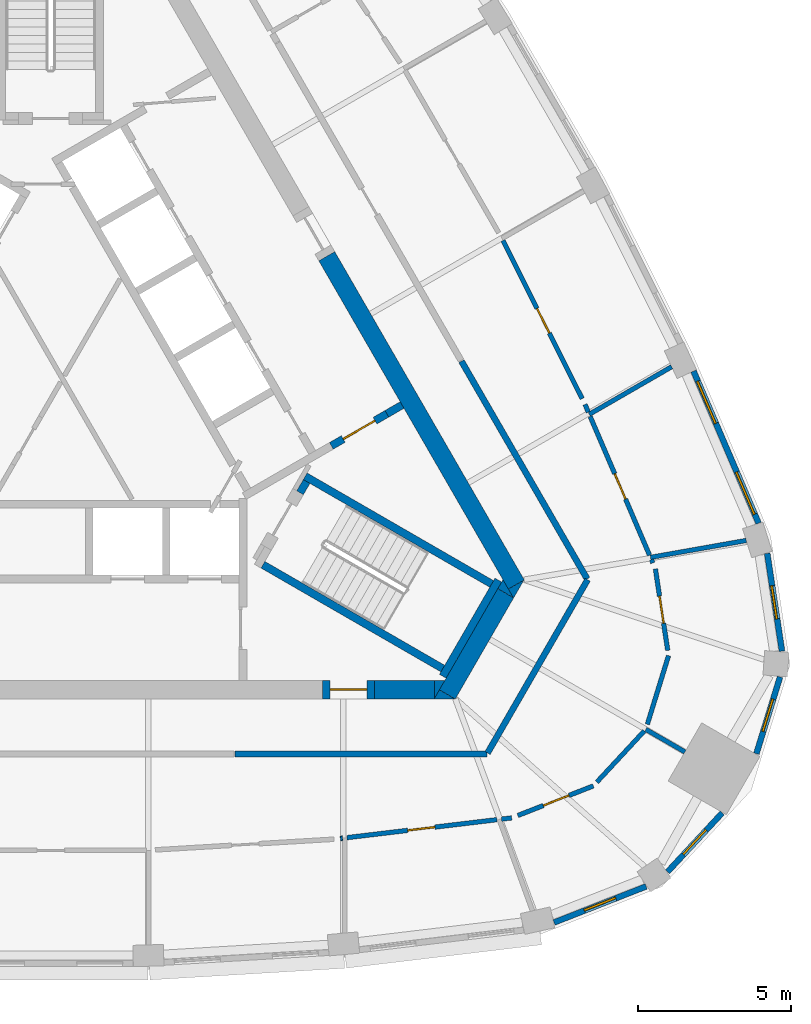
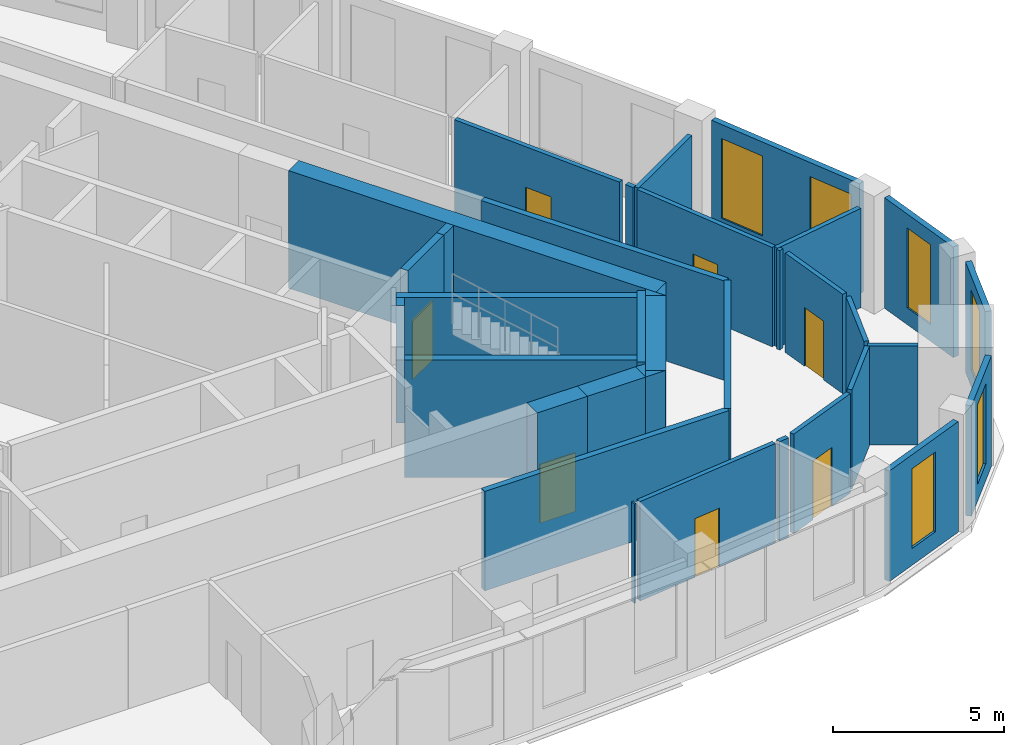
# One storey, part 7 of 10: 36 walls, 7 doors, 6 windows, 13 openings.
"""IFC4 building model written with IfcOpenShell, lengths in metres."""

from ifc_helpers import new_model, si_unit, direction, frame, frame_2d, origin, place, context, subcontext, project, spatial, polyline, rectangle, outline, extrude, material, layer, layer_set, type_object, element, fill, save


model = new_model("IFC4")

# Units and contexts
model_context = context("Model", 3, precision=1e-05, world=origin(), true_north=direction((0.0, 1.0)))
body_context = subcontext(model_context, "Body", "Model", "MODEL_VIEW")
ifc_project = project(units=[si_unit("LENGTHUNIT", "METRE"), si_unit("AREAUNIT", "SQUARE_METRE"), si_unit("VOLUMEUNIT", "CUBIC_METRE"), si_unit("PLANEANGLEUNIT", "RADIAN"), si_unit("MASSUNIT", "GRAM", prefix="KILO")], contexts=[model_context])

# Site, building, storey
site_placement = place(None, origin())
site = spatial("IfcSite", under=ifc_project, at=site_placement, CompositionType="ELEMENT")
building_placement = place(site_placement, origin())
building = spatial("IfcBuilding", under=site, at=building_placement, Name="Mestral Congress Tower", CompositionType="ELEMENT")
storey_placement = place(building_placement, frame((0.0, 0.0, 275.39990234375)))
storey = spatial("IfcBuildingStorey", under=building, at=storey_placement, Name="L64", CompositionType="ELEMENT", Elevation=275.39990234375)

# Walls
ifc_material_1 = material(Name="Concrete C60/75", Category="concrete")
ifc_layer_1 = layer(ifc_material_1, 0.60009765625)
ifc_layer_set_1 = layer_set([ifc_layer_1], Name="Concrete C60/75")
wall_type_1 = type_object("IfcWallType", Name="Core wall RC 600", PredefinedType="SOLIDWALL", material=ifc_layer_set_1)
wall_1_placement = place(storey_placement, frame((9.0419921875, 4.23876953125, 0.0), z_axis=(0.0, 0.0, 1.0), x_axis=(0.500005785455, -0.866022063525, 0.0)))
element("IfcWall", 1, at=wall_1_placement, inside=storey, type_object=wall_type_1, Name="L64 core wall", PredefinedType="SOLIDWALL", context=body_context, shape_type="SweptSolid", body=[
    extrude(rectangle(XDim=12.406494140625, YDim=0.60009765625, at=frame_2d((6.203125, 0.0))), origin(), (0.0, 0.0, 1.0), 4.2001953125),
])
placement = place(storey_placement, origin())
element("IfcWall", 2, at=placement, inside=storey, type_object=wall_type_1, Name="L64 core wall", PredefinedType="SOLIDWALL", context=body_context, shape_type="SweptSolid", body=[
    extrude(outline(polyline([(15.155517578125, -6.949951171875), (14.986572265625, -6.6572265625), (15.493408203125, -6.364501953125), (15.155517578125, -6.949951171875)])), origin(), (0.0, 0.0, 1.0), 4.2001953125),
])
wall_3_placement = place(storey_placement, frame((12.9873046875, -10.105712890625, 0.0), z_axis=(0.0, 0.0, 1.0), x_axis=(0.499950938802, 0.866053727428, 0.0)))
element("IfcWall", 3, at=wall_3_placement, inside=storey, type_object=wall_type_1, Name="L64 core wall", PredefinedType="SOLIDWALL", context=body_context, shape_type="SweptSolid", body=[
    extrude(rectangle(XDim=3.8232421875, YDim=0.60009765625, at=frame_2d((1.91162109375, 0.0))), origin(), (0.0, 0.0, 1.0), 4.2001953125),
])
element("IfcWall", 4, at=placement, inside=storey, type_object=wall_type_1, Name="L64 core wall", PredefinedType="SOLIDWALL", context=body_context, shape_type="SweptSolid", body=[
    extrude(outline(polyline([(12.726318359375, -9.957275390625), (13.2333984375, -10.25), (12.557373046875, -10.25), (12.726318359375, -9.957275390625)])), origin(), (0.0, 0.0, 1.0), 4.2001953125),
])
element("IfcWall", 5, at=placement, inside=storey, type_object=wall_type_1, Name="L64 core wall", PredefinedType="SOLIDWALL", context=body_context, shape_type="SweptSolid", body=[
    extrude(outline(polyline([(14.80908203125, -6.35009765625), (15.147216796875, -6.935791015625), (14.639892578125, -6.642822265625), (14.80908203125, -6.35009765625)])), origin(), (0.0, 0.0, 1.0), 4.2001953125),
])
wall_6_placement = place(storey_placement, frame((10.6044921875, -9.949951171875, 0.0), z_axis=(0.0, 0.0, 1.0), x_axis=(1.0, 0.0, 0.0)))
element("IfcWall", 6, at=wall_6_placement, inside=storey, type_object=wall_type_1, Name="L64 core wall", PredefinedType="SOLIDWALL", context=body_context, shape_type="SweptSolid", body=[
    extrude(rectangle(XDim=1.959228515625, YDim=0.60009765625, at=frame_2d((0.9794921875, 0.0))), origin(), (0.0, 0.0, 1.0), 4.2001953125),
])
element("IfcWall", 7, at=placement, inside=storey, type_object=wall_type_1, Name="L64 core wall", PredefinedType="SOLIDWALL", context=body_context, shape_type="SweptSolid", body=[
    extrude(outline(polyline([(12.90380859375, -9.64990234375), (12.56591796875, -10.235595703125), (12.56591796875, -9.64990234375), (12.90380859375, -9.64990234375)])), origin(), (0.0, 0.0, 1.0), 4.2001953125),
])

# Wall, opening, door
wall_8_placement = place(storey_placement, frame((10.6044921875, -9.949951171875, 0.0), z_axis=(0.0, 0.0, 1.0), x_axis=(-1.0, 0.0, 0.0)))
wall_8 = element("IfcWall", 8, at=wall_8_placement, inside=storey, type_object=wall_type_1, Name="L64 door wall", PredefinedType="SOLIDWALL", context=body_context, shape_type="SweptSolid", body=[
    extrude(rectangle(XDim=1.699951171875, YDim=0.60009765625, at=frame_2d((0.85009765625, 0.0))), origin(), (0.0, 0.0, 1.0), 4.2001953125),
])
opening_1_placement = place(wall_8_placement, frame((0.25, 0.0, 0.0)))
opening_1 = element("IfcOpeningElement", 9, at=opening_1_placement, cuts=wall_8, Name="Opening XD1", PredefinedType="OPENING", context=body_context, shape_type="SweptSolid", body=[
    extrude(rectangle(XDim=1.199951171875, YDim=2.10009765625, at=frame_2d((0.60009765625, 1.050048828125))), frame((0.0, 0.31005859375, 0.0), z_axis=(0.0, -1.0, 0.0), x_axis=(1.0, 0.0, 0.0)), (0.0, 0.0, 1.0), 0.6201171875),
])
ifc_material_2 = material(Name="Fire-rated steel door set", Category="steel")
door_type_1 = type_object("IfcDoorType", Name="Core door XD 1200x2100", OperationType="SINGLE_SWING_LEFT", PredefinedType="DOOR", material=ifc_material_2)
door_1_placement = place(opening_1_placement, origin())
door_1 = element("IfcDoor", 10, at=door_1_placement, inside=storey, type_object=door_type_1, Name="Door XD1", OperationType="SINGLE_SWING_LEFT", OverallHeight=2.10009765625, OverallWidth=1.199951171875, PredefinedType="DOOR", context=body_context, shape_type="SweptSolid", body=[
    extrude(rectangle(XDim=1.199951171875, YDim=2.10009765625, at=frame_2d((0.60009765625, 1.050048828125))), frame((0.0, 0.02490234375, 0.0), z_axis=(0.0, -1.0, 0.0), x_axis=(1.0, 0.0, 0.0)), (0.0, 0.0, 1.0), 0.050048828125),
])
fill(opening_1, door_1)

# Wall, opening, window
ifc_material_3 = material(Name="Precast concrete C40/50 with limestone facing", Category="masonry")
ifc_layer_2 = layer(ifc_material_3, 0.18994140625)
ifc_layer_set_2 = layer_set([ifc_layer_2], Name="Precast concrete C40/50 with limestone facing")
wall_type_2 = type_object("IfcWallType", Name="Facade stone wall 190", PredefinedType="SOLIDWALL", material=ifc_layer_set_2)
wall_9_placement = place(storey_placement, frame((16.48291015625, -17.572998046875, 0.0), z_axis=(0.0, 0.0, 1.0), x_axis=(0.93100888477, 0.364996515709, 0.0)))
wall_9 = element("IfcWall", 11, at=wall_9_placement, inside=storey, type_object=wall_type_2, Name="Facade wall K0-0", PredefinedType="SOLIDWALL", context=body_context, shape_type="SweptSolid", body=[
    extrude(rectangle(XDim=3.23681640625, YDim=0.18994140625, at=frame_2d((1.618408203125, 0.0))), origin(), (0.0, 0.0, 1.0), 3.9501953125),
])
opening_2_placement = place(wall_9_placement, frame((1.068359375, 0.0, 0.60009765625)))
opening_2 = element("IfcOpeningElement", 12, at=opening_2_placement, cuts=wall_9, Name="Opening W7", PredefinedType="OPENING", context=body_context, shape_type="SweptSolid", body=[
    extrude(rectangle(XDim=1.10009765625, YDim=2.85009765625, at=frame_2d((0.550048828125, 1.425048828125))), frame((0.0, 0.10498046875, 0.0), z_axis=(0.0, -1.0, 0.0), x_axis=(1.0, 0.0, 0.0)), (0.0, 0.0, 1.0), 0.2099609375),
])
ifc_material_4 = material(Name="Clear low-emissivity double glazing", Category="glass")
window_type_1 = type_object("IfcWindowType", Name="Facade punched window 1100 x 2850 sill 600", PartitioningType="SINGLE_PANEL", PredefinedType="WINDOW", material=ifc_material_4)
window_1_placement = place(opening_2_placement, origin())
window_1 = element("IfcWindow", 13, at=window_1_placement, inside=storey, type_object=window_type_1, Name="Window K0-0", OverallHeight=2.85009765625, OverallWidth=1.10009765625, PartitioningType="SINGLE_PANEL", PredefinedType="WINDOW", context=body_context, shape_type="SweptSolid", body=[
    extrude(rectangle(XDim=1.10009765625, YDim=2.85009765625, at=frame_2d((0.550048828125, 1.425048828125))), frame((0.0, 0.044921875, 0.0), z_axis=(0.0, -1.0, 0.0), x_axis=(1.0, 0.0, 0.0)), (0.0, 0.0, 1.0), 0.06005859375),
])
fill(opening_2, window_1)

wall_10_placement = place(storey_placement, frame((20.197998046875, -15.91357421875, 0.0), z_axis=(0.0, 0.0, 1.0), x_axis=(0.680219354823, 0.733008614768, 0.0)))
wall_10 = element("IfcWall", 14, at=wall_10_placement, inside=storey, type_object=wall_type_2, Name="Facade wall K0-1", PredefinedType="SOLIDWALL", context=body_context, shape_type="SweptSolid", body=[
    extrude(rectangle(XDim=2.626953125, YDim=0.18994140625, at=frame_2d((1.3134765625, 0.0))), origin(), (0.0, 0.0, 1.0), 3.9501953125),
])
opening_3_placement = place(wall_10_placement, frame((0.763427734375, 0.0, 0.60009765625)))
opening_3 = element("IfcOpeningElement", 15, at=opening_3_placement, cuts=wall_10, Name="Opening W7", PredefinedType="OPENING", context=body_context, shape_type="SweptSolid", body=[
    extrude(rectangle(XDim=1.10009765625, YDim=2.85009765625, at=frame_2d((0.550048828125, 1.425048828125))), frame((0.0, 0.10498046875, 0.0), z_axis=(0.0, -1.0, 0.0), x_axis=(1.0, 0.0, 0.0)), (0.0, 0.0, 1.0), 0.2099609375),
])
window_2_placement = place(opening_3_placement, origin())
window_2 = element("IfcWindow", 16, at=window_2_placement, inside=storey, type_object=window_type_1, Name="Window K0-1", OverallHeight=2.85009765625, OverallWidth=1.10009765625, PartitioningType="SINGLE_PANEL", PredefinedType="WINDOW", context=body_context, shape_type="SweptSolid", body=[
    extrude(rectangle(XDim=1.10009765625, YDim=2.85009765625, at=frame_2d((0.550048828125, 1.425048828125))), frame((0.0, 0.044921875, 0.0), z_axis=(0.0, -1.0, 0.0), x_axis=(1.0, 0.0, 0.0)), (0.0, 0.0, 1.0), 0.06005859375),
])
fill(opening_3, window_2)

wall_11_placement = place(storey_placement, frame((23.1064453125, -12.04541015625, 0.0), z_axis=(0.0, 0.0, 1.0), x_axis=(0.294706210429, 0.9555879078, 0.0)))
wall_11 = element("IfcWall", 17, at=wall_11_placement, inside=storey, type_object=wall_type_2, Name="Facade wall K0-2", PredefinedType="SOLIDWALL", context=body_context, shape_type="SweptSolid", body=[
    extrude(rectangle(XDim=2.626953125, YDim=0.18994140625, at=frame_2d((1.3134765625, 0.0))), origin(), (0.0, 0.0, 1.0), 3.9501953125),
])
opening_4_placement = place(wall_11_placement, frame((0.763427734375, 0.0, 0.60009765625)))
opening_4 = element("IfcOpeningElement", 18, at=opening_4_placement, cuts=wall_11, Name="Opening W7", PredefinedType="OPENING", context=body_context, shape_type="SweptSolid", body=[
    extrude(rectangle(XDim=1.10009765625, YDim=2.85009765625, at=frame_2d((0.550048828125, 1.425048828125))), frame((0.0, 0.10498046875, 0.0), z_axis=(0.0, -1.0, 0.0), x_axis=(1.0, 0.0, 0.0)), (0.0, 0.0, 1.0), 0.2099609375),
])
window_3_placement = place(opening_4_placement, origin())
window_3 = element("IfcWindow", 19, at=window_3_placement, inside=storey, type_object=window_type_1, Name="Window K0-2", OverallHeight=2.85009765625, OverallWidth=1.10009765625, PartitioningType="SINGLE_PANEL", PredefinedType="WINDOW", context=body_context, shape_type="SweptSolid", body=[
    extrude(rectangle(XDim=1.10009765625, YDim=2.85009765625, at=frame_2d((0.550048828125, 1.425048828125))), frame((0.0, 0.044921875, 0.0), z_axis=(0.0, -1.0, 0.0), x_axis=(1.0, 0.0, 0.0)), (0.0, 0.0, 1.0), 0.06005859375),
])
fill(opening_4, window_3)

wall_12_placement = place(storey_placement, frame((23.94384765625, -8.6884765625, 0.0), z_axis=(0.0, 0.0, 1.0), x_axis=(-0.149421055602, 0.988773658702, 0.0)))
wall_12 = element("IfcWall", 20, at=wall_12_placement, inside=storey, type_object=wall_type_2, Name="Facade wall K0-3", PredefinedType="SOLIDWALL", context=body_context, shape_type="SweptSolid", body=[
    extrude(rectangle(XDim=3.23681640625, YDim=0.18994140625, at=frame_2d((1.618408203125, 0.0))), origin(), (0.0, 0.0, 1.0), 3.9501953125),
])
opening_5_placement = place(wall_12_placement, frame((1.068359375, 0.0, 0.60009765625)))
opening_5 = element("IfcOpeningElement", 21, at=opening_5_placement, cuts=wall_12, Name="Opening W7", PredefinedType="OPENING", context=body_context, shape_type="SweptSolid", body=[
    extrude(rectangle(XDim=1.10009765625, YDim=2.85009765625, at=frame_2d((0.550048828125, 1.425048828125))), frame((0.0, 0.10498046875, 0.0), z_axis=(0.0, -1.0, 0.0), x_axis=(1.0, 0.0, 0.0)), (0.0, 0.0, 1.0), 0.2099609375),
])
window_4_placement = place(opening_5_placement, origin())
window_4 = element("IfcWindow", 22, at=window_4_placement, inside=storey, type_object=window_type_1, Name="Window K0-3", OverallHeight=2.85009765625, OverallWidth=1.10009765625, PartitioningType="SINGLE_PANEL", PredefinedType="WINDOW", context=body_context, shape_type="SweptSolid", body=[
    extrude(rectangle(XDim=1.10009765625, YDim=2.85009765625, at=frame_2d((0.550048828125, 1.425048828125))), frame((0.0, 0.044921875, 0.0), z_axis=(0.0, -1.0, 0.0), x_axis=(1.0, 0.0, 0.0)), (0.0, 0.0, 1.0), 0.06005859375),
])
fill(opening_5, window_4)

# Wall, openings, windows
wall_13_placement = place(storey_placement, frame((23.1787109375, -4.50048828125, 0.0), z_axis=(0.0, 0.0, 1.0), x_axis=(-0.393347848476, 0.919389726992, 0.0)))
wall_13 = element("IfcWall", 23, at=wall_13_placement, inside=storey, type_object=wall_type_2, Name="Facade wall F1-00", PredefinedType="SOLIDWALL", context=body_context, shape_type="SweptSolid", body=[
    extrude(rectangle(XDim=5.414794921875, YDim=0.18994140625, at=frame_2d((2.70751953125, 0.0))), origin(), (0.0, 0.0, 1.0), 3.9501953125),
])
opening_6_placement = place(wall_13_placement, frame((0.322509765625, 0.0, 0.60009765625)))
opening_6 = element("IfcOpeningElement", 24, at=opening_6_placement, cuts=wall_13, Name="Opening W6", PredefinedType="OPENING", context=body_context, shape_type="SweptSolid", body=[
    extrude(rectangle(XDim=1.5, YDim=2.85009765625, at=frame_2d((0.75, 1.425048828125))), frame((0.0, 0.10498046875, 0.0), z_axis=(0.0, -1.0, 0.0), x_axis=(1.0, 0.0, 0.0)), (0.0, 0.0, 1.0), 0.2099609375),
])
opening_7_placement = place(wall_13_placement, frame((3.5576171875, 0.0, 0.60009765625)))
opening_7 = element("IfcOpeningElement", 25, at=opening_7_placement, cuts=wall_13, Name="Opening W6", PredefinedType="OPENING", context=body_context, shape_type="SweptSolid", body=[
    extrude(rectangle(XDim=1.5, YDim=2.85009765625, at=frame_2d((0.75, 1.425048828125))), frame((0.0, 0.10498046875, 0.0), z_axis=(0.0, -1.0, 0.0), x_axis=(1.0, 0.0, 0.0)), (0.0, 0.0, 1.0), 0.2099609375),
])
window_type_2 = type_object("IfcWindowType", Name="Facade punched window 1500 x 2850 sill 600", PartitioningType="SINGLE_PANEL", PredefinedType="WINDOW", material=ifc_material_4)
window_5_placement = place(opening_6_placement, origin())
window_5 = element("IfcWindow", 26, at=window_5_placement, inside=storey, type_object=window_type_2, Name="Window F1-00a", OverallHeight=2.85009765625, OverallWidth=1.5, PartitioningType="SINGLE_PANEL", PredefinedType="WINDOW", context=body_context, shape_type="SweptSolid", body=[
    extrude(rectangle(XDim=1.5, YDim=2.85009765625, at=frame_2d((0.75, 1.425048828125))), frame((0.0, 0.044921875, 0.0), z_axis=(0.0, -1.0, 0.0), x_axis=(1.0, 0.0, 0.0)), (0.0, 0.0, 1.0), 0.06005859375),
])
fill(opening_6, window_5)
window_6_placement = place(opening_7_placement, origin())
window_6 = element("IfcWindow", 27, at=window_6_placement, inside=storey, type_object=window_type_2, Name="Window F1-00b", OverallHeight=2.85009765625, OverallWidth=1.5, PartitioningType="SINGLE_PANEL", PredefinedType="WINDOW", context=body_context, shape_type="SweptSolid", body=[
    extrude(rectangle(XDim=1.5, YDim=2.85009765625, at=frame_2d((0.75, 1.425048828125))), frame((0.0, 0.044921875, 0.0), z_axis=(0.0, -1.0, 0.0), x_axis=(1.0, 0.0, 0.0)), (0.0, 0.0, 1.0), 0.06005859375),
])
fill(opening_7, window_6)

# Wall
ifc_material_5 = material(Name="Plasterboard partition on steel studs", Category="steel")
ifc_layer_3 = layer(ifc_material_5, 0.14990234375)
ifc_layer_set_3 = layer_set([ifc_layer_3], Name="Plasterboard partition on steel studs")
wall_type_3 = type_object("IfcWallType", Name="Office partition 150", PredefinedType="PARTITIONING", material=ifc_layer_set_3)
wall_14_placement = place(storey_placement, frame((9.492431640625, -14.8203125, 0.0), z_axis=(0.0, 0.0, 1.0), x_axis=(0.993123019804, 0.117075477944, 0.0)))
element("IfcWall", 28, at=wall_14_placement, inside=storey, type_object=wall_type_3, Name="Partition", PredefinedType="PARTITIONING", context=body_context, shape_type="SweptSolid", body=[
    extrude(rectangle(XDim=0.060546875, YDim=0.14990234375, at=frame_2d((0.0302734375, 0.0))), origin(), (0.0, 0.0, 1.0), 3.550048828125),
])

# Wall, opening, door
wall_15_placement = place(storey_placement, frame((14.609619140625, -14.206787109375, 0.0), z_axis=(0.0, 0.0, 1.0), x_axis=(-0.992888520801, -0.119047827618, 0.0)))
wall_15 = element("IfcWall", 29, at=wall_15_placement, inside=storey, type_object=wall_type_3, Name="Partition", PredefinedType="PARTITIONING", context=body_context, shape_type="SweptSolid", body=[
    extrude(rectangle(XDim=4.9423828125, YDim=0.14990234375, at=frame_2d((2.47119140625, 0.0))), origin(), (0.0, 0.0, 1.0), 3.550048828125),
])
opening_8_placement = place(wall_15_placement, frame((2.042236328125, 0.0, 0.0)))
opening_8 = element("IfcOpeningElement", 30, at=opening_8_placement, cuts=wall_15, Name="Opening O11-004", PredefinedType="OPENING", context=body_context, shape_type="SweptSolid", body=[
    extrude(rectangle(XDim=0.89990234375, YDim=2.10009765625, at=frame_2d((0.449951171875, 1.050048828125))), frame((0.0, 0.0849609375, 0.0), z_axis=(0.0, -1.0, 0.0), x_axis=(1.0, 0.0, 0.0)), (0.0, 0.0, 1.0), 0.169921875),
])
ifc_material_6 = material(Name="Timber door set", Category="wood")
door_type_2 = type_object("IfcDoorType", Name="Office door 900x2100", OperationType="SINGLE_SWING_LEFT", PredefinedType="DOOR", material=ifc_material_6)
door_2_placement = place(opening_8_placement, origin())
door_2 = element("IfcDoor", 31, at=door_2_placement, inside=storey, type_object=door_type_2, Name="Door O11-004", OperationType="SINGLE_SWING_RIGHT", OverallHeight=2.10009765625, OverallWidth=0.89990234375, PredefinedType="DOOR", context=body_context, shape_type="SweptSolid", body=[
    extrude(rectangle(XDim=0.89990234375, YDim=2.10009765625, at=frame_2d((0.449951171875, 1.050048828125))), frame((0.0, 0.02490234375, 0.0), z_axis=(0.0, -1.0, 0.0), x_axis=(1.0, 0.0, 0.0)), (0.0, 0.0, 1.0), 0.050048828125),
])
fill(opening_8, door_2)

# Walls
wall_16_placement = place(storey_placement, frame((19.485107421875, -11.249755859375, 0.0), z_axis=(0.0, 0.0, 1.0), x_axis=(0.866039857565, -0.499974964482, 0.0)))
element("IfcWall", 32, at=wall_16_placement, inside=storey, type_object=wall_type_3, Name="Partition", PredefinedType="PARTITIONING", context=body_context, shape_type="SweptSolid", body=[
    extrude(rectangle(XDim=1.478515625, YDim=0.14990234375, at=frame_2d((0.7392578125, 0.0))), origin(), (0.0, 0.0, 1.0), 3.550048828125),
])
wall_17_placement = place(storey_placement, frame((14.762451171875, -14.1884765625, 0.0), z_axis=(0.0, 0.0, 1.0), x_axis=(0.992894100983, 0.11900127828, 0.0)))
element("IfcWall", 33, at=wall_17_placement, inside=storey, type_object=wall_type_3, Name="Partition", PredefinedType="PARTITIONING", context=body_context, shape_type="SweptSolid", body=[
    extrude(rectangle(XDim=0.33447265625, YDim=0.14990234375, at=frame_2d((0.167236328125, 0.0))), origin(), (0.0, 0.0, 1.0), 3.550048828125),
])

# Wall, opening, door
wall_18_placement = place(storey_placement, frame((17.767333984375, -13.1005859375, 0.0), z_axis=(0.0, 0.0, 1.0), x_axis=(-0.930971361221, -0.365092213812, 0.0)))
wall_18 = element("IfcWall", 34, at=wall_18_placement, inside=storey, type_object=wall_type_3, Name="Partition", PredefinedType="PARTITIONING", context=body_context, shape_type="SweptSolid", body=[
    extrude(rectangle(XDim=2.65673828125, YDim=0.14990234375, at=frame_2d((1.328369140625, 0.0))), origin(), (0.0, 0.0, 1.0), 3.550048828125),
])
opening_9_placement = place(wall_18_placement, frame((0.856689453125, 0.0, 0.0)))
opening_9 = element("IfcOpeningElement", 35, at=opening_9_placement, cuts=wall_18, Name="Opening O11-005", PredefinedType="OPENING", context=body_context, shape_type="SweptSolid", body=[
    extrude(rectangle(XDim=0.89990234375, YDim=2.10009765625, at=frame_2d((0.449951171875, 1.050048828125))), frame((0.0, 0.0849609375, 0.0), z_axis=(0.0, -1.0, 0.0), x_axis=(1.0, 0.0, 0.0)), (0.0, 0.0, 1.0), 0.169921875),
])
door_3_placement = place(opening_9_placement, origin())
door_3 = element("IfcDoor", 36, at=door_3_placement, inside=storey, type_object=door_type_2, Name="Door O11-005", OperationType="SINGLE_SWING_LEFT", OverallHeight=2.10009765625, OverallWidth=0.89990234375, PredefinedType="DOOR", context=body_context, shape_type="SweptSolid", body=[
    extrude(rectangle(XDim=0.89990234375, YDim=2.10009765625, at=frame_2d((0.449951171875, 1.050048828125))), frame((0.0, 0.02490234375, 0.0), z_axis=(0.0, -1.0, 0.0), x_axis=(1.0, 0.0, 0.0)), (0.0, 0.0, 1.0), 0.050048828125),
])
fill(opening_9, door_3)

# Walls
wall_19_placement = place(storey_placement, frame((17.885009765625, -12.97412109375, 0.0), z_axis=(0.0, 0.0, 1.0), x_axis=(0.680220611996, 0.733007448132, 0.0)))
element("IfcWall", 37, at=wall_19_placement, inside=storey, type_object=wall_type_3, Name="Partition", PredefinedType="PARTITIONING", context=body_context, shape_type="SweptSolid", body=[
    extrude(rectangle(XDim=2.275634765625, YDim=0.14990234375, at=frame_2d((1.1376953125, 0.0))), origin(), (0.0, 0.0, 1.0), 3.550048828125),
])
wall_20_placement = place(storey_placement, frame((19.638671875, -5.61962890625, 0.0), z_axis=(0.0, 0.0, 1.0), x_axis=(0.984765028635, 0.173890305586, 0.0)))
element("IfcWall", 38, at=wall_20_placement, inside=storey, type_object=wall_type_3, Name="Partition", PredefinedType="PARTITIONING", context=body_context, shape_type="SweptSolid", body=[
    extrude(rectangle(XDim=3.184326171875, YDim=0.14990234375, at=frame_2d((1.59228515625, 0.0))), origin(), (0.0, 0.0, 1.0), 3.550048828125),
])
wall_21_placement = place(storey_placement, frame((19.5361328125, -11.084716796875, 0.0), z_axis=(0.0, 0.0, 1.0), x_axis=(0.294632751805, 0.955610559571, 0.0)))
element("IfcWall", 39, at=wall_21_placement, inside=storey, type_object=wall_type_3, Name="Partition", PredefinedType="PARTITIONING", context=body_context, shape_type="SweptSolid", body=[
    extrude(rectangle(XDim=2.3525390625, YDim=0.14990234375, at=frame_2d((1.17626953125, 0.0))), origin(), (0.0, 0.0, 1.0), 3.550048828125),
])

# Wall, opening, door
wall_22_placement = place(storey_placement, frame((19.80029296875, -5.997802734375, 0.0), z_axis=(0.0, 0.0, 1.0), x_axis=(0.149384554916, -0.988779173907, 0.0)))
wall_22 = element("IfcWall", 40, at=wall_22_placement, inside=storey, type_object=wall_type_3, Name="Partition", PredefinedType="PARTITIONING", context=body_context, shape_type="SweptSolid", body=[
    extrude(rectangle(XDim=2.6982421875, YDim=0.14990234375, at=frame_2d((1.34912109375, 0.0))), origin(), (0.0, 0.0, 1.0), 3.550048828125),
])
opening_10_placement = place(wall_22_placement, frame((0.898193359375, 0.0, 0.0)))
opening_10 = element("IfcOpeningElement", 41, at=opening_10_placement, cuts=wall_22, Name="Opening O11-006", PredefinedType="OPENING", context=body_context, shape_type="SweptSolid", body=[
    extrude(rectangle(XDim=0.89990234375, YDim=2.10009765625, at=frame_2d((0.449951171875, 1.050048828125))), frame((0.0, 0.0849609375, 0.0), z_axis=(0.0, -1.0, 0.0), x_axis=(1.0, 0.0, 0.0)), (0.0, 0.0, 1.0), 0.169921875),
])
door_4_placement = place(opening_10_placement, origin())
door_4 = element("IfcDoor", 42, at=door_4_placement, inside=storey, type_object=door_type_2, Name="Door O11-006", OperationType="SINGLE_SWING_LEFT", OverallHeight=2.10009765625, OverallWidth=0.89990234375, PredefinedType="DOOR", context=body_context, shape_type="SweptSolid", body=[
    extrude(rectangle(XDim=0.89990234375, YDim=2.10009765625, at=frame_2d((0.449951171875, 1.050048828125))), frame((0.0, 0.02490234375, 0.0), z_axis=(0.0, -1.0, 0.0), x_axis=(1.0, 0.0, 0.0)), (0.0, 0.0, 1.0), 0.050048828125),
])
fill(opening_10, door_4)

# Walls
wall_23_placement = place(storey_placement, frame((19.716064453125, -5.80078125, 0.0), z_axis=(0.0, 0.0, 1.0), x_axis=(-0.394409976498, 0.918934584418, 0.0)))
element("IfcWall", 43, at=wall_23_placement, inside=storey, type_object=wall_type_3, Name="Partition", PredefinedType="PARTITIONING", context=body_context, shape_type="SweptSolid", body=[
    extrude(rectangle(XDim=0.1201171875, YDim=0.14990234375, at=frame_2d((0.06005859375, 0.0))), origin(), (0.0, 0.0, 1.0), 3.550048828125),
])
wall_24_placement = place(storey_placement, frame((17.634521484375, -0.935546875, 0.0), z_axis=(0.0, 0.0, 1.0), x_axis=(0.866044607523, 0.499966736674, 0.0)))
element("IfcWall", 44, at=wall_24_placement, inside=storey, type_object=wall_type_3, Name="Partition", PredefinedType="PARTITIONING", context=body_context, shape_type="SweptSolid", body=[
    extrude(rectangle(XDim=3.114501953125, YDim=0.14990234375, at=frame_2d((1.55712890625, 0.0))), origin(), (0.0, 0.0, 1.0), 3.550048828125),
])

# Wall, opening, door
wall_25_placement = place(storey_placement, frame((17.664306640625, -1.0048828125, 0.0), z_axis=(0.0, 0.0, 1.0), x_axis=(0.393352855097, -0.919387584964, 0.0)))
wall_25 = element("IfcWall", 45, at=wall_25_placement, inside=storey, type_object=wall_type_3, Name="Partition", PredefinedType="PARTITIONING", context=body_context, shape_type="SweptSolid", body=[
    extrude(rectangle(XDim=4.9423828125, YDim=0.14990234375, at=frame_2d((2.47119140625, 0.0))), origin(), (0.0, 0.0, 1.0), 3.550048828125),
])
opening_11_placement = place(wall_25_placement, frame((2.042236328125, 0.0, 0.0)))
opening_11 = element("IfcOpeningElement", 46, at=opening_11_placement, cuts=wall_25, Name="Opening O11-007", PredefinedType="OPENING", context=body_context, shape_type="SweptSolid", body=[
    extrude(rectangle(XDim=0.89990234375, YDim=2.10009765625, at=frame_2d((0.449951171875, 1.050048828125))), frame((0.0, 0.0849609375, 0.0), z_axis=(0.0, -1.0, 0.0), x_axis=(1.0, 0.0, 0.0)), (0.0, 0.0, 1.0), 0.169921875),
])
door_5_placement = place(opening_11_placement, origin())
door_5 = element("IfcDoor", 47, at=door_5_placement, inside=storey, type_object=door_type_2, Name="Door O11-007", OperationType="SINGLE_SWING_RIGHT", OverallHeight=2.10009765625, OverallWidth=0.89990234375, PredefinedType="DOOR", context=body_context, shape_type="SweptSolid", body=[
    extrude(rectangle(XDim=0.89990234375, YDim=2.10009765625, at=frame_2d((0.449951171875, 1.050048828125))), frame((0.0, 0.02490234375, 0.0), z_axis=(0.0, -1.0, 0.0), x_axis=(1.0, 0.0, 0.0)), (0.0, 0.0, 1.0), 0.050048828125),
])
fill(opening_11, door_5)

# Wall
wall_26_placement = place(storey_placement, frame((17.604736328125, -0.8662109375, 0.0), z_axis=(0.0, 0.0, 1.0), x_axis=(-0.393169369927, 0.919466066014, 0.0)))
element("IfcWall", 48, at=wall_26_placement, inside=storey, type_object=wall_type_3, Name="Partition", PredefinedType="PARTITIONING", context=body_context, shape_type="SweptSolid", body=[
    extrude(rectangle(XDim=0.275146484375, YDim=0.14990234375, at=frame_2d((0.1376953125, 0.0))), origin(), (0.0, 0.0, 1.0), 3.550048828125),
])

# Wall, opening, door
wall_27_placement = place(storey_placement, frame((14.810791015625, 4.75439453125, 0.0), z_axis=(0.0, 0.0, 1.0), x_axis=(0.447483524661, -0.894292175498, 0.0)))
wall_27 = element("IfcWall", 49, at=wall_27_placement, inside=storey, type_object=wall_type_3, Name="Partition", PredefinedType="PARTITIONING", context=body_context, shape_type="SweptSolid", body=[
    extrude(rectangle(XDim=5.7880859375, YDim=0.14990234375, at=frame_2d((2.89404296875, 0.0))), origin(), (0.0, 0.0, 1.0), 3.550048828125),
])
opening_12_placement = place(wall_27_placement, frame((2.488037109375, 0.0, 0.0)))
opening_12 = element("IfcOpeningElement", 50, at=opening_12_placement, cuts=wall_27, Name="Opening O11-008", PredefinedType="OPENING", context=body_context, shape_type="SweptSolid", body=[
    extrude(rectangle(XDim=0.89990234375, YDim=2.10009765625, at=frame_2d((0.449951171875, 1.050048828125))), frame((0.0, 0.0849609375, 0.0), z_axis=(0.0, -1.0, 0.0), x_axis=(1.0, 0.0, 0.0)), (0.0, 0.0, 1.0), 0.169921875),
])
door_6_placement = place(opening_12_placement, origin())
door_6 = element("IfcDoor", 51, at=door_6_placement, inside=storey, type_object=door_type_2, Name="Door O11-008", OperationType="SINGLE_SWING_RIGHT", OverallHeight=2.10009765625, OverallWidth=0.89990234375, PredefinedType="DOOR", context=body_context, shape_type="SweptSolid", body=[
    extrude(rectangle(XDim=0.89990234375, YDim=2.10009765625, at=frame_2d((0.449951171875, 1.050048828125))), frame((0.0, 0.02490234375, 0.0), z_axis=(0.0, -1.0, 0.0), x_axis=(1.0, 0.0, 0.0)), (0.0, 0.0, 1.0), 0.050048828125),
])
fill(opening_12, door_6)

# Walls
ifc_material_7 = material(Name="Dense masonry wall, plastered", Category="masonry")
ifc_layer_4 = layer(ifc_material_7, 0.199951171875)
ifc_layer_set_4 = layer_set([ifc_layer_4], Name="Dense masonry wall, plastered")
wall_type_4 = type_object("IfcWallType", Name="Office tenancy wall 200", PredefinedType="PARTITIONING", material=ifc_layer_set_4)
wall_28_placement = place(storey_placement, frame((6.030029296875, -12.050048828125, 0.0), z_axis=(0.0, 0.0, 1.0), x_axis=(1.0, 0.0, 0.0)))
element("IfcWall", 52, at=wall_28_placement, inside=storey, type_object=wall_type_4, Name="Tenancy wall", PredefinedType="PARTITIONING", context=body_context, shape_type="SweptSolid", body=[
    extrude(rectangle(XDim=8.25927734375, YDim=0.199951171875, at=frame_2d((4.129638671875, 0.0))), origin(), (0.0, 0.0, 1.0), 3.550048828125),
])
wall_29_placement = place(storey_placement, frame((14.304443359375, -12.02392578125, 0.0), z_axis=(0.0, 0.0, 1.0), x_axis=(0.500010613097, 0.866019276224, 0.0)))
element("IfcWall", 53, at=wall_29_placement, inside=storey, type_object=wall_type_4, Name="Tenancy wall", PredefinedType="PARTITIONING", context=body_context, shape_type="SweptSolid", body=[
    extrude(rectangle(XDim=6.551513671875, YDim=0.199951171875, at=frame_2d((3.27587890625, 0.0))), origin(), (0.0, 0.0, 1.0), 3.550048828125),
])
wall_30_placement = place(storey_placement, frame((17.565185546875, -6.323974609375, 0.0), z_axis=(0.0, 0.0, 1.0), x_axis=(-0.499977548053, 0.866038366034, 0.0)))
element("IfcWall", 54, at=wall_30_placement, inside=storey, type_object=wall_type_4, Name="Tenancy wall", PredefinedType="PARTITIONING", context=body_context, shape_type="SweptSolid", body=[
    extrude(rectangle(XDim=8.2294921875, YDim=0.199951171875, at=frame_2d((4.11474609375, 0.0))), origin(), (0.0, 0.0, 1.0), 3.550048828125),
])
ifc_layer_5 = layer(ifc_material_1, 0.25)
ifc_layer_set_5 = layer_set([ifc_layer_5], Name="Concrete C60/75")
wall_type_5 = type_object("IfcWallType", Name="Shaft wall RC 250", PredefinedType="SOLIDWALL", material=ifc_layer_set_5)
wall_31_placement = place(storey_placement, frame((11.507080078125, -0.631103515625, 0.0), z_axis=(0.0, 0.0, 1.0), x_axis=(-0.866093731455, -0.499881634324, 0.0)))
element("IfcWall", 55, at=wall_31_placement, inside=storey, type_object=wall_type_5, Name="L64 core wall", PredefinedType="SOLIDWALL", context=body_context, shape_type="SweptSolid", body=[
    extrude(rectangle(XDim=0.575439453125, YDim=0.25, at=frame_2d((0.28759765625, 0.0))), origin(), (0.0, 0.0, 1.0), 4.2001953125),
])

# Wall, opening, door
wall_32_placement = place(storey_placement, frame((11.0087890625, -0.918701171875, 0.0), z_axis=(0.0, 0.0, 1.0), x_axis=(-0.866059744384, -0.49994051562, 0.0)))
wall_32 = element("IfcWall", 56, at=wall_32_placement, inside=storey, type_object=wall_type_5, Name="L64 door wall", PredefinedType="SOLIDWALL", context=body_context, shape_type="SweptSolid", body=[
    extrude(rectangle(XDim=2.099853515625, YDim=0.25, at=frame_2d((1.0498046875, 0.0))), origin(), (0.0, 0.0, 1.0), 4.2001953125),
])
opening_13_placement = place(wall_32_placement, frame((0.449951171875, 0.0, 0.0)))
opening_13 = element("IfcOpeningElement", 57, at=opening_13_placement, cuts=wall_32, Name="Opening LB1-PX10", PredefinedType="OPENING", context=body_context, shape_type="SweptSolid", body=[
    extrude(rectangle(XDim=1.199951171875, YDim=2.10009765625, at=frame_2d((0.60009765625, 1.050048828125))), frame((0.0, 0.135009765625, 0.0), z_axis=(0.0, -1.0, 0.0), x_axis=(1.0, 0.0, 0.0)), (0.0, 0.0, 1.0), 0.27001953125),
])
door_type_3 = type_object("IfcDoorType", Name="Core door LB 1200x2100", OperationType="SINGLE_SWING_LEFT", PredefinedType="DOOR", material=ifc_material_2)
door_7_placement = place(opening_13_placement, origin())
door_7 = element("IfcDoor", 58, at=door_7_placement, inside=storey, type_object=door_type_3, Name="Door LB1-PX10", OperationType="SINGLE_SWING_LEFT", OverallHeight=2.10009765625, OverallWidth=1.199951171875, PredefinedType="DOOR", context=body_context, shape_type="SweptSolid", body=[
    extrude(rectangle(XDim=1.199951171875, YDim=2.10009765625, at=frame_2d((0.60009765625, 1.050048828125))), frame((0.0, 0.02490234375, 0.0), z_axis=(0.0, -1.0, 0.0), x_axis=(1.0, 0.0, 0.0)), (0.0, 0.0, 1.0), 0.050048828125),
])
fill(opening_13, door_7)

# Walls
ifc_layer_6 = layer(ifc_material_1, 0.25)
ifc_layer_set_6 = layer_set([ifc_layer_6], Name="Concrete C60/75")
wall_type_6 = type_object("IfcWallType", Name="Stair wall RC 250", PredefinedType="SOLIDWALL", material=ifc_layer_set_6)
wall_33_placement = place(storey_placement, frame((12.839599609375, -9.510986328125, 0.0), z_axis=(0.0, 0.0, 1.0), x_axis=(0.500048121057, 0.865997619297, 0.0)))
element("IfcWall", 59, at=wall_33_placement, inside=storey, type_object=wall_type_6, Name="L64 core wall", PredefinedType="SOLIDWALL", context=body_context, shape_type="SweptSolid", body=[
    extrude(rectangle(XDim=3.634033203125, YDim=0.25, at=frame_2d((1.81689453125, 0.0))), origin(), (0.0, 0.0, 1.0), 4.2001953125),
])
wall_34_placement = place(storey_placement, frame((12.83984375, -9.2607421875, 0.0), z_axis=(0.0, 0.0, 1.0), x_axis=(-0.866013990052, 0.500019768644, 0.0)))
element("IfcWall", 60, at=wall_34_placement, inside=storey, type_object=wall_type_6, Name="L64 core wall", PredefinedType="SOLIDWALL", context=body_context, shape_type="SweptSolid", body=[
    extrude(rectangle(XDim=6.800048828125, YDim=0.25, at=frame_2d((3.39990234375, 0.0))), origin(), (0.0, 0.0, 1.0), 4.2001953125),
])
wall_35_placement = place(storey_placement, frame((8.33447265625, -2.96435546875, 0.0), z_axis=(0.0, 0.0, 1.0), x_axis=(0.866016039709, -0.500016218704, 0.0)))
element("IfcWall", 61, at=wall_35_placement, inside=storey, type_object=wall_type_6, Name="L64 core wall", PredefinedType="SOLIDWALL", context=body_context, shape_type="SweptSolid", body=[
    extrude(rectangle(XDim=7.050048828125, YDim=0.25, at=frame_2d((3.52490234375, 0.0))), origin(), (0.0, 0.0, 1.0), 4.2001953125),
])
wall_36_placement = place(storey_placement, frame((8.167724609375, -3.503173828125, 0.0), z_axis=(0.0, 0.0, 1.0), x_axis=(0.49972245349, 0.866185586049, 0.0)))
element("IfcWall", 62, at=wall_36_placement, inside=storey, type_object=wall_type_6, Name="L64 core wall", PredefinedType="SOLIDWALL", context=body_context, shape_type="SweptSolid", body=[
    extrude(rectangle(XDim=0.425048828125, YDim=0.25, at=frame_2d((0.21240234375, 0.0))), origin(), (0.0, 0.0, 1.0), 4.2001953125),
])

save(model, "model.ifc")
